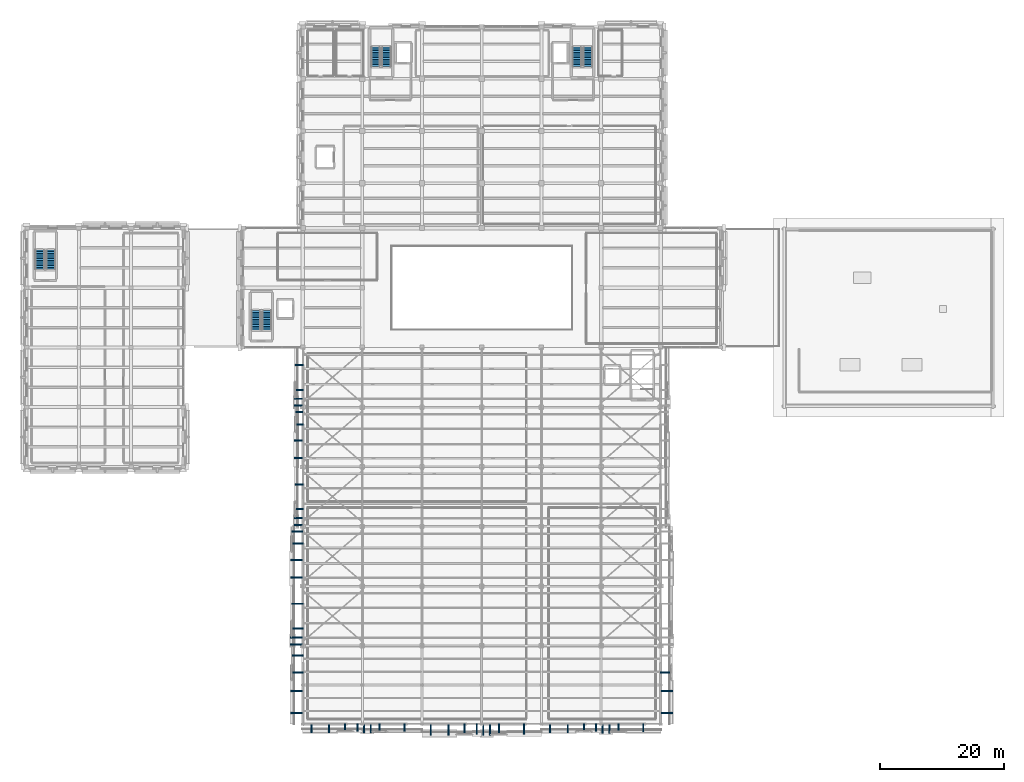
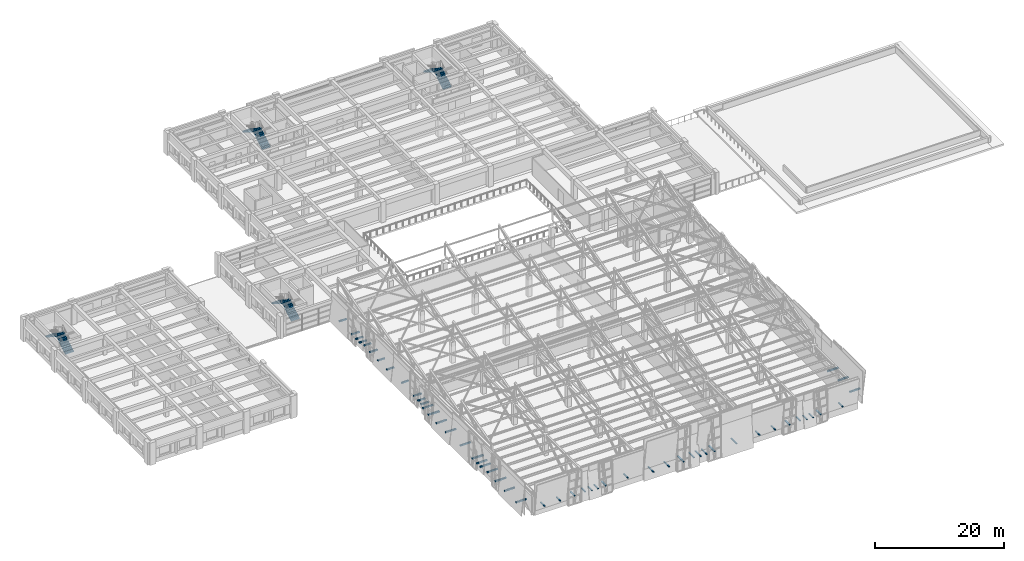
# One storey, part 62 of 71: 51 discrete accessories, 8 stair flights, 4 elements without a shape of their own.
"""IFC4 building model written with IfcOpenShell, lengths in metres."""

import ifcopenshell
import ifcopenshell.guid

model = None  # the IFC model being written
_history = None  # IfcOwnerHistory: only IFC2X3 demands one
_inside = {}  # id of a spatial element -> (the spatial element, [elements in it])
_under = {}  # id of a project, library or spatial element -> (it, [spatial elements below it])
_declared = {}  # id of a project -> (the project, [libraries it declares])
_typed = {}  # id of a type object -> (the type object, [elements of that type])
_made_of = {}  # id of a material, layer set ... -> (it, [elements and type objects made of it])


def new_model(schema):
    """Start an empty IFC model of exactly this schema.

    Asked for "IFC4X3", IfcOpenShell would pick the latest addendum, in which some entities
    have other attributes; the version numbers below select the first issue.
    IFC2X3 requires an IfcOwnerHistory on every rooted entity: one is made here for all.
    """
    global model, _history
    if schema == "IFC4X3":
        model = ifcopenshell.file(schema_version=(4, 3, 0, 0))
    else:
        model = ifcopenshell.file(schema=schema)
    _inside.clear()
    _under.clear()
    _declared.clear()
    _typed.clear()
    _made_of.clear()
    _history = None
    if model.schema == "IFC2X3":
        org = make("IfcOrganization", Name="unknown")
        user = make(
            "IfcPersonAndOrganization",
            ThePerson=make("IfcPerson", FamilyName="unknown"),
            TheOrganization=org,
        )
        app = make(
            "IfcApplication",
            ApplicationDeveloper=org,
            Version="unknown",
            ApplicationFullName="unknown",
            ApplicationIdentifier="unknown",
        )
        _history = make(
            "IfcOwnerHistory",
            OwningUser=user,
            OwningApplication=app,
            ChangeAction="ADDED",
            CreationDate=0,
        )
    return model


def make(cls, **values):
    """One entity of the class cls with the attributes given. An attribute that is None is left unset."""
    return model.create_entity(
        cls, **{name: value for name, value in values.items() if value is not None}
    )


def rooted(cls, **values):
    """An entity with a GlobalId (a new one), such as an element, a storey or a relation."""
    return make(cls, GlobalId=ifcopenshell.guid.new(), OwnerHistory=_history, **values)


def si_unit(unit_type, name, prefix=None):
    """IfcSIUnit, for example si_unit("LENGTHUNIT", "METRE", prefix="MILLI")."""
    return make("IfcSIUnit", UnitType=unit_type, Prefix=prefix, Name=name)


def assignment(units):
    """IfcUnitAssignment: the units of a project."""
    return None if units is None else make("IfcUnitAssignment", Units=units)


def point(xyz):
    """IfcCartesianPoint."""
    return None if xyz is None else make("IfcCartesianPoint", Coordinates=xyz)


def direction(xyz):
    """IfcDirection."""
    return None if xyz is None else make("IfcDirection", DirectionRatios=xyz)


def frame(location, z_axis=None, x_axis=None):
    """IfcAxis2Placement3D, a coordinate frame: its origin and axes. An axis left out is left unset."""
    return make(
        "IfcAxis2Placement3D",
        Location=point(location),
        Axis=direction(z_axis),
        RefDirection=direction(x_axis),
    )


def frame_2d(location, x_axis=None):
    """IfcAxis2Placement2D, a coordinate frame in the plane: its origin and x axis."""
    return make(
        "IfcAxis2Placement2D", Location=point(location), RefDirection=direction(x_axis)
    )


def origin():
    """The frame at (0, 0, 0) with its axes left unset."""
    return frame((0.0, 0.0, 0.0))


def origin_2d():
    """The frame at (0, 0) in the plane with its x axis left unset."""
    return frame_2d((0.0, 0.0))


def place(relative_to, where):
    """IfcLocalPlacement: puts the frame where relative to a parent placement (None: the world)."""
    return make(
        "IfcLocalPlacement", PlacementRelTo=relative_to, RelativePlacement=where
    )


def context(
    kind, dimensions, precision=None, world=None, true_north=None, identifier=None
):
    """IfcGeometricRepresentationContext, for example the 3D "Model" context."""
    return make(
        "IfcGeometricRepresentationContext",
        ContextIdentifier=identifier,
        ContextType=kind,
        CoordinateSpaceDimension=dimensions,
        Precision=precision,
        WorldCoordinateSystem=world,
        TrueNorth=true_north,
    )


def subcontext(parent, identifier, kind, view, scale=None):
    """IfcGeometricRepresentationSubContext, for example "Body" below "Model"."""
    return make(
        "IfcGeometricRepresentationSubContext",
        ContextIdentifier=identifier,
        ContextType=kind,
        ParentContext=parent,
        TargetScale=scale,
        TargetView=view,
    )


def project(units=None, contexts=None):
    """IfcProject with its units and contexts."""
    return rooted(
        "IfcProject",
        Name="project",
        RepresentationContexts=contexts,
        UnitsInContext=assignment(units),
    )


def spatial(cls, under=None, at=None, **own):
    """A site, building, storey or space (cls), placed at a placement, below another one or the project."""
    s = rooted(cls, ObjectPlacement=at, **own)
    if under is not None:
        _under.setdefault(under.id(), (under, []))[1].append(s)
    return s


def polyline(points):
    """IfcPolyline through the points."""
    return make("IfcPolyline", Points=[point(p) for p in points])


def profile(cls, at=None, kind="AREA", **sizes):
    """A parametric profile (cls). Its sizes go by their IFC names, for example OverallWidth=200.0."""
    return make(cls, ProfileType=kind, Position=at, **sizes)


def rectangle(**sizes):
    """IfcRectangleProfileDef."""
    return profile("IfcRectangleProfileDef", **sizes)


def outline(outer, holes=None, kind="AREA"):
    """IfcArbitraryClosedProfileDef: a profile drawn as a closed curve; with holes, ...WithVoids."""
    if holes is None:
        return make("IfcArbitraryClosedProfileDef", ProfileType=kind, OuterCurve=outer)
    return make(
        "IfcArbitraryProfileDefWithVoids",
        ProfileType=kind,
        OuterCurve=outer,
        InnerCurves=holes,
    )


def extrude(swept, where, along, depth):
    """IfcExtrudedAreaSolid: the profile swept, set in the frame where, extruded along a direction by depth."""
    return make(
        "IfcExtrudedAreaSolid",
        SweptArea=swept,
        Position=where,
        ExtrudedDirection=direction(along),
        Depth=depth,
    )


def shape(context_of_items, identifier, shape_type, items):
    """IfcShapeRepresentation: the items that make up one representation, for example the "Body"."""
    return make(
        "IfcShapeRepresentation",
        ContextOfItems=context_of_items,
        RepresentationIdentifier=identifier,
        RepresentationType=shape_type,
        Items=items,
    )


def material(Name=None, Category=None):
    """IfcMaterial."""
    return make("IfcMaterial", Name=Name, Category=Category)


def layer(
    of_material, thickness, ventilated=None, Name=None, Category=None, Priority=None
):
    """IfcMaterialLayer: one layer of a wall or slab, of a material (None: an air gap)."""
    return make(
        "IfcMaterialLayer",
        Material=of_material,
        LayerThickness=thickness,
        IsVentilated=ventilated,
        Name=Name,
        Category=Category,
        Priority=Priority,
    )


def layer_set(layers, Name=None):
    """IfcMaterialLayerSet."""
    return make("IfcMaterialLayerSet", MaterialLayers=layers, LayerSetName=Name)


def made_of(thing, what):
    """Note that an element or type object is made of a material, layer set ...; save() writes the relation."""
    if what is not None:
        _made_of.setdefault(what.id(), (what, []))[1].append(thing)
    return thing


def type_object(cls, material=None, **own):
    """A type object (cls), such as IfcWallType, which elements share."""
    return made_of(rooted(cls, **own), material)


def element(
    cls,
    number,
    at=None,
    inside=None,
    cuts=None,
    type_object=None,
    material=None,
    context=None,
    identifier="Body",
    shape_type=None,
    held_by="IfcProductDefinitionShape",
    body=None,
    shapes=None,
    **own,
):
    """One element of the class cls, such as IfcWall. Its Tag is "e" and its number.

    at: its placement. inside: the storey or other place that contains it. cuts: it is an
    opening in that element (IfcRelVoidsElement). A single representation is given by context,
    identifier, shape_type and body (its items); several are given by shapes. held_by: the class
    of the entity that holds the representations. save() writes the other relations.
    """
    e = rooted(cls, Tag="e%d" % number, ObjectPlacement=at, **own)
    if body is not None:
        shapes = [shape(context, identifier, shape_type, body)]
    if shapes is not None:
        e.Representation = make(held_by, Representations=shapes)
    if inside is not None:
        _inside.setdefault(inside.id(), (inside, []))[1].append(e)
    if cuts is not None:
        rooted(
            "IfcRelVoidsElement", RelatingBuildingElement=cuts, RelatedOpeningElement=e
        )
    if type_object is not None:
        _typed.setdefault(type_object.id(), (type_object, []))[1].append(e)
    return made_of(e, material)


def aggregate(whole, parts):
    """IfcRelAggregates: a whole, such as a stair, and the parts it consists of."""
    return rooted("IfcRelAggregates", RelatingObject=whole, RelatedObjects=parts)


def save(model, path):
    """Write the relations noted so far, then the file.

    IfcRelAggregates (storeys below a building ...), IfcRelContainedInSpatialStructure (elements
    in a storey), IfcRelDefinesByType, IfcRelAssociatesMaterial and IfcRelDeclares: one each for
    every whole, place, type object, material and project.
    """
    for whole, parts in _under.values():
        aggregate(whole, parts)
    for where, things in _inside.values():
        rooted(
            "IfcRelContainedInSpatialStructure",
            RelatedElements=things,
            RelatingStructure=where,
        )
    for kind, things in _typed.values():
        rooted("IfcRelDefinesByType", RelatedObjects=things, RelatingType=kind)
    for what, things in _made_of.values():
        rooted("IfcRelAssociatesMaterial", RelatedObjects=things, RelatingMaterial=what)
    for by, libraries in _declared.values():
        rooted("IfcRelDeclares", RelatingContext=by, RelatedDefinitions=libraries)
    model.write(path)


model = new_model("IFC4")

# Units and contexts
model_context = context("Model", 3, precision=1e-05, world=origin(), true_north=direction((0.0, 1.0)))
body_context = subcontext(model_context, "Body", "Model", "MODEL_VIEW")
ifc_project = project(units=[si_unit("LENGTHUNIT", "METRE"), si_unit("AREAUNIT", "SQUARE_METRE"), si_unit("VOLUMEUNIT", "CUBIC_METRE"), si_unit("PLANEANGLEUNIT", "RADIAN"), si_unit("MASSUNIT", "GRAM", prefix="KILO")], contexts=[model_context])

# Site, building, storey
site_placement = place(None, origin())
site = spatial("IfcSite", under=ifc_project, at=site_placement, CompositionType="ELEMENT")
building_placement = place(site_placement, origin())
building = spatial("IfcBuilding", under=site, at=building_placement, Name="Bempovik Park Faculty of Sciences", CompositionType="ELEMENT")
storey_placement = place(building_placement, frame((0.0, 0.0, 14.10009765625)))
storey = spatial("IfcBuildingStorey", under=building, at=storey_placement, Name="L03", CompositionType="ELEMENT", Elevation=14.10009765625)

# Stair, stair flights
ifc_material_1 = material(Name="Concrete C35/45", Category="concrete")
stair_type = type_object("IfcStairType", Name="ST-16 Stair W1500 H4200", PredefinedType="HALF_TURN_STAIR", material=ifc_material_1)
stair_1_placement = place(storey_placement, origin())
stair_1 = element("IfcStair", 1, at=stair_1_placement, inside=storey, type_object=stair_type, Name="L03 ST-1 Dog-Leg Exit Stair", PredefinedType="HALF_TURN_STAIR")
stair_flight_type = type_object("IfcStairFlightType", Name="FL-13 Flight W1500 H4200", PredefinedType="STRAIGHT", material=ifc_material_1)
stair_flight_1_placement = place(storey_placement, frame((73.5, 113.0, 0.0), z_axis=(0.0, 0.0, 1.0), x_axis=(0.0, 1.0, 0.0)))
stair_flight_1 = element("IfcStairFlight", 2, at=stair_flight_1_placement, type_object=stair_flight_type, Name="ST-16 flight 1", NumberOfRisers=12, NumberOfTreads=11, PredefinedType="STRAIGHT", RiserHeight=0.175, TreadLength=0.28125, context=body_context, shape_type="SweptSolid", body=[
    extrude(outline(polyline([(0.0, 0.0), (0.0, 0.175048828125), (0.28125, 0.175048828125), (0.28125, 0.35009765625), (0.5625, 0.35009765625), (0.5625, 0.52490234375), (0.84375, 0.52490234375), (0.84375, 0.699951171875), (1.125, 0.699951171875), (1.125, 0.875), (1.40625, 0.875), (1.40625, 1.050048828125), (1.6875, 1.050048828125), (1.6875, 1.22509765625), (1.96875, 1.22509765625), (1.96875, 1.39990234375), (2.25, 1.39990234375), (2.25, 1.574951171875), (2.53125, 1.574951171875), (2.53125, 1.75), (2.8125, 1.75), (2.8125, 1.925048828125), (3.09375, 1.925048828125), (3.09375, 2.10009765625), (3.09375, 1.74853515625), (0.28369140625, 0.0), (0.0625, -0.0625), (0.0, -0.0625), (0.0, 0.0)])), frame((0.0, 0.75, 0.0), z_axis=(0.0, -1.0, 0.0), x_axis=(1.0, 0.0, 0.0)), (0.0, 0.0, 1.0), 1.5),
])
stair_flight_2_placement = place(storey_placement, frame((71.75, 116.09375, 2.099853515625), z_axis=(0.0, 0.0, 1.0), x_axis=(0.0, -1.0, 0.0)))
stair_flight_2 = element("IfcStairFlight", 3, at=stair_flight_2_placement, type_object=stair_flight_type, Name="ST-16 flight 2", NumberOfRisers=12, NumberOfTreads=11, PredefinedType="STRAIGHT", RiserHeight=0.175, TreadLength=0.28125, context=body_context, shape_type="SweptSolid", body=[
    extrude(outline(polyline([(0.0, 0.0), (0.0, 0.175048828125), (0.28125, 0.175048828125), (0.28125, 0.35009765625), (0.5625, 0.35009765625), (0.5625, 0.52490234375), (0.84375, 0.52490234375), (0.84375, 0.699951171875), (1.125, 0.699951171875), (1.125, 0.875), (1.40625, 0.875), (1.40625, 1.050048828125), (1.6875, 1.050048828125), (1.6875, 1.22509765625), (1.96875, 1.22509765625), (1.96875, 1.39990234375), (2.25, 1.39990234375), (2.25, 1.574951171875), (2.53125, 1.574951171875), (2.53125, 1.75), (2.8125, 1.75), (2.8125, 1.925048828125), (3.09375, 1.925048828125), (3.09375, 2.10009765625), (3.09375, 1.74853515625), (0.28369140625, 0.0), (0.0625, -0.0625), (0.0, -0.0625), (0.0, 0.0)])), frame((0.0, 0.75, 0.0), z_axis=(0.0, -1.0, 0.0), x_axis=(1.0, 0.0, 0.0)), (0.0, 0.0, 1.0), 1.5),
])
aggregate(stair_1, [stair_flight_1, stair_flight_2])

stair_2_placement = place(storey_placement, origin())
stair_2 = element("IfcStair", 4, at=stair_2_placement, inside=storey, type_object=stair_type, Name="L03 ST-2 Dog-Leg Exit Stair", PredefinedType="HALF_TURN_STAIR")
stair_flight_3_placement = place(storey_placement, frame((105.875, 113.0, 0.0), z_axis=(0.0, 0.0, 1.0), x_axis=(0.0, 1.0, 0.0)))
stair_flight_3 = element("IfcStairFlight", 5, at=stair_flight_3_placement, type_object=stair_flight_type, Name="ST-16 flight 1", NumberOfRisers=12, NumberOfTreads=11, PredefinedType="STRAIGHT", RiserHeight=0.175, TreadLength=0.28125, context=body_context, shape_type="SweptSolid", body=[
    extrude(outline(polyline([(0.0, 0.0), (0.0, 0.175048828125), (0.28125, 0.175048828125), (0.28125, 0.35009765625), (0.5625, 0.35009765625), (0.5625, 0.52490234375), (0.84375, 0.52490234375), (0.84375, 0.699951171875), (1.125, 0.699951171875), (1.125, 0.875), (1.40625, 0.875), (1.40625, 1.050048828125), (1.6875, 1.050048828125), (1.6875, 1.22509765625), (1.96875, 1.22509765625), (1.96875, 1.39990234375), (2.25, 1.39990234375), (2.25, 1.574951171875), (2.53125, 1.574951171875), (2.53125, 1.75), (2.8125, 1.75), (2.8125, 1.925048828125), (3.09375, 1.925048828125), (3.09375, 2.10009765625), (3.09375, 1.74853515625), (0.28369140625, 0.0), (0.0625, -0.0625), (0.0, -0.0625), (0.0, 0.0)])), frame((0.0, 0.75, 0.0), z_axis=(0.0, -1.0, 0.0), x_axis=(1.0, 0.0, 0.0)), (0.0, 0.0, 1.0), 1.5),
])
stair_flight_4_placement = place(storey_placement, frame((104.125, 116.09375, 2.099853515625), z_axis=(0.0, 0.0, 1.0), x_axis=(0.0, -1.0, 0.0)))
stair_flight_4 = element("IfcStairFlight", 6, at=stair_flight_4_placement, type_object=stair_flight_type, Name="ST-16 flight 2", NumberOfRisers=12, NumberOfTreads=11, PredefinedType="STRAIGHT", RiserHeight=0.175, TreadLength=0.28125, context=body_context, shape_type="SweptSolid", body=[
    extrude(outline(polyline([(0.0, 0.0), (0.0, 0.175048828125), (0.28125, 0.175048828125), (0.28125, 0.35009765625), (0.5625, 0.35009765625), (0.5625, 0.52490234375), (0.84375, 0.52490234375), (0.84375, 0.699951171875), (1.125, 0.699951171875), (1.125, 0.875), (1.40625, 0.875), (1.40625, 1.050048828125), (1.6875, 1.050048828125), (1.6875, 1.22509765625), (1.96875, 1.22509765625), (1.96875, 1.39990234375), (2.25, 1.39990234375), (2.25, 1.574951171875), (2.53125, 1.574951171875), (2.53125, 1.75), (2.8125, 1.75), (2.8125, 1.925048828125), (3.09375, 1.925048828125), (3.09375, 2.10009765625), (3.09375, 1.74853515625), (0.28369140625, 0.0), (0.0625, -0.0625), (0.0, -0.0625), (0.0, 0.0)])), frame((0.0, 0.75, 0.0), z_axis=(0.0, -1.0, 0.0), x_axis=(1.0, 0.0, 0.0)), (0.0, 0.0, 1.0), 1.5),
])
aggregate(stair_2, [stair_flight_3, stair_flight_4])

stair_3_placement = place(storey_placement, origin())
stair_3 = element("IfcStair", 7, at=stair_3_placement, inside=storey, type_object=stair_type, Name="L03 ST-3 Dog-Leg Exit Stair", PredefinedType="HALF_TURN_STAIR")
stair_flight_5_placement = place(storey_placement, frame((19.5, 80.375, 0.0), z_axis=(0.0, 0.0, 1.0), x_axis=(0.0, 1.0, 0.0)))
stair_flight_5 = element("IfcStairFlight", 8, at=stair_flight_5_placement, type_object=stair_flight_type, Name="ST-16 flight 1", NumberOfRisers=12, NumberOfTreads=11, PredefinedType="STRAIGHT", RiserHeight=0.175, TreadLength=0.28125, context=body_context, shape_type="SweptSolid", body=[
    extrude(outline(polyline([(0.0, 0.0), (0.0, 0.175048828125), (0.28125, 0.175048828125), (0.28125, 0.35009765625), (0.5625, 0.35009765625), (0.5625, 0.52490234375), (0.84375, 0.52490234375), (0.84375, 0.699951171875), (1.125, 0.699951171875), (1.125, 0.875), (1.40625, 0.875), (1.40625, 1.050048828125), (1.6875, 1.050048828125), (1.6875, 1.22509765625), (1.96875, 1.22509765625), (1.96875, 1.39990234375), (2.25, 1.39990234375), (2.25, 1.574951171875), (2.53125, 1.574951171875), (2.53125, 1.75), (2.8125, 1.75), (2.8125, 1.925048828125), (3.09375, 1.925048828125), (3.09375, 2.10009765625), (3.09375, 1.74853515625), (0.28369140625, 0.0), (0.0625, -0.0625), (0.0, -0.0625), (0.0, 0.0)])), frame((0.0, 0.75, 0.0), z_axis=(0.0, -1.0, 0.0), x_axis=(1.0, 0.0, 0.0)), (0.0, 0.0, 1.0), 1.5),
])
stair_flight_6_placement = place(storey_placement, frame((17.75, 83.46875, 2.099853515625), z_axis=(0.0, 0.0, 1.0), x_axis=(0.0, -1.0, 0.0)))
stair_flight_6 = element("IfcStairFlight", 9, at=stair_flight_6_placement, type_object=stair_flight_type, Name="ST-16 flight 2", NumberOfRisers=12, NumberOfTreads=11, PredefinedType="STRAIGHT", RiserHeight=0.175, TreadLength=0.28125, context=body_context, shape_type="SweptSolid", body=[
    extrude(outline(polyline([(0.0, 0.0), (0.0, 0.175048828125), (0.28125, 0.175048828125), (0.28125, 0.35009765625), (0.5625, 0.35009765625), (0.5625, 0.52490234375), (0.84375, 0.52490234375), (0.84375, 0.699951171875), (1.125, 0.699951171875), (1.125, 0.875), (1.40625, 0.875), (1.40625, 1.050048828125), (1.6875, 1.050048828125), (1.6875, 1.22509765625), (1.96875, 1.22509765625), (1.96875, 1.39990234375), (2.25, 1.39990234375), (2.25, 1.574951171875), (2.53125, 1.574951171875), (2.53125, 1.75), (2.8125, 1.75), (2.8125, 1.925048828125), (3.09375, 1.925048828125), (3.09375, 2.10009765625), (3.09375, 1.74853515625), (0.28369140625, 0.0), (0.0625, -0.0625), (0.0, -0.0625), (0.0, 0.0)])), frame((0.0, 0.75, 0.0), z_axis=(0.0, -1.0, 0.0), x_axis=(1.0, 0.0, 0.0)), (0.0, 0.0, 1.0), 1.5),
])
aggregate(stair_3, [stair_flight_5, stair_flight_6])

stair_4_placement = place(storey_placement, origin())
stair_4 = element("IfcStair", 10, at=stair_4_placement, inside=storey, type_object=stair_type, Name="L03 ST-4 Dog-Leg Exit Stair", PredefinedType="HALF_TURN_STAIR")
stair_flight_7_placement = place(storey_placement, frame((54.25, 70.625, 0.0), z_axis=(0.0, 0.0, 1.0), x_axis=(0.0, 1.0, 0.0)))
stair_flight_7 = element("IfcStairFlight", 11, at=stair_flight_7_placement, type_object=stair_flight_type, Name="ST-16 flight 1", NumberOfRisers=12, NumberOfTreads=11, PredefinedType="STRAIGHT", RiserHeight=0.175, TreadLength=0.28125, context=body_context, shape_type="SweptSolid", body=[
    extrude(outline(polyline([(0.0, 0.0), (0.0, 0.175048828125), (0.28125, 0.175048828125), (0.28125, 0.35009765625), (0.5625, 0.35009765625), (0.5625, 0.52490234375), (0.84375, 0.52490234375), (0.84375, 0.699951171875), (1.125, 0.699951171875), (1.125, 0.875), (1.40625, 0.875), (1.40625, 1.050048828125), (1.6875, 1.050048828125), (1.6875, 1.22509765625), (1.96875, 1.22509765625), (1.96875, 1.39990234375), (2.25, 1.39990234375), (2.25, 1.574951171875), (2.53125, 1.574951171875), (2.53125, 1.75), (2.8125, 1.75), (2.8125, 1.925048828125), (3.09375, 1.925048828125), (3.09375, 2.10009765625), (3.09375, 1.74853515625), (0.28369140625, 0.0), (0.0625, -0.0625), (0.0, -0.0625), (0.0, 0.0)])), frame((0.0, 0.75, 0.0), z_axis=(0.0, -1.0, 0.0), x_axis=(1.0, 0.0, 0.0)), (0.0, 0.0, 1.0), 1.5),
])
stair_flight_8_placement = place(storey_placement, frame((52.5, 73.71875, 2.099853515625), z_axis=(0.0, 0.0, 1.0), x_axis=(0.0, -1.0, 0.0)))
stair_flight_8 = element("IfcStairFlight", 12, at=stair_flight_8_placement, type_object=stair_flight_type, Name="ST-16 flight 2", NumberOfRisers=12, NumberOfTreads=11, PredefinedType="STRAIGHT", RiserHeight=0.175, TreadLength=0.28125, context=body_context, shape_type="SweptSolid", body=[
    extrude(outline(polyline([(0.0, 0.0), (0.0, 0.175048828125), (0.28125, 0.175048828125), (0.28125, 0.35009765625), (0.5625, 0.35009765625), (0.5625, 0.52490234375), (0.84375, 0.52490234375), (0.84375, 0.699951171875), (1.125, 0.699951171875), (1.125, 0.875), (1.40625, 0.875), (1.40625, 1.050048828125), (1.6875, 1.050048828125), (1.6875, 1.22509765625), (1.96875, 1.22509765625), (1.96875, 1.39990234375), (2.25, 1.39990234375), (2.25, 1.574951171875), (2.53125, 1.574951171875), (2.53125, 1.75), (2.8125, 1.75), (2.8125, 1.925048828125), (3.09375, 1.925048828125), (3.09375, 2.10009765625), (3.09375, 1.74853515625), (0.28369140625, 0.0), (0.0625, -0.0625), (0.0, -0.0625), (0.0, 0.0)])), frame((0.0, 0.75, 0.0), z_axis=(0.0, -1.0, 0.0), x_axis=(1.0, 0.0, 0.0)), (0.0, 0.0, 1.0), 1.5),
])
aggregate(stair_4, [stair_flight_7, stair_flight_8])

# Discrete accessories
ifc_material_2 = material(Name="Steel S355", Category="steel")
ifc_layer = layer(ifc_material_2, 0.14990234375)
ifc_layer_set = layer_set([ifc_layer], Name="Steel S355")
discrete_accessory_type = type_object("IfcDiscreteAccessoryType", Name="BK-01 Facade Support Bracket", PredefinedType="BRACKET", material=ifc_layer_set)
for number, where, z_axis, x_axis, name in (
    (13, (118.610107421875, 8.986328125, 1.44970703125), (0.0, 0.0, 1.0), (1.0, 0.0, 0.0), "Crystal Cladding Support Bracket FAC-CRYS-L03-1176-72-BK1"),
    (14, (118.610107421875, 12.55859375, 1.44970703125), (0.0, 0.0, 1.0), (1.0, 0.0, 0.0), "Crystal Cladding Support Bracket FAC-CRYS-L03-1176-72-BK2"),
):
    element("IfcDiscreteAccessory", number, at=place(storey_placement, frame(where, z_axis=z_axis, x_axis=x_axis)), inside=storey, type_object=discrete_accessory_type, Name=name, PredefinedType="BRACKET", context=body_context, shape_type="SweptSolid", body=[
        extrude(rectangle(XDim=1.820556640625, YDim=0.219970703125, at=origin_2d()), origin(), (0.0, 0.0, 1.0), 0.179931640625),
    ])
discrete_accessory_1_placement = place(storey_placement, frame((118.480224609375, 15.52490234375, 1.44970703125), z_axis=(0.0, 0.0, 1.0), x_axis=(1.0, 0.0, 0.0)))
element("IfcDiscreteAccessory", 15, at=discrete_accessory_1_placement, inside=storey, type_object=discrete_accessory_type, Name="Crystal Fold Tie Bracket FAC-CRYS-L03-1176-72-BKF", PredefinedType="BRACKET", context=body_context, shape_type="SweptSolid", body=[
    extrude(rectangle(XDim=1.92041015625, YDim=0.239990234375, at=origin_2d()), origin(), (0.0, 0.0, 1.0), 0.179931640625),
])
discrete_accessory_2_placement = place(storey_placement, frame((68.802490234375, 6.6796875, 1.44970703125), z_axis=(0.0, 0.0, 1.0), x_axis=(1.0, 0.0, 0.0)))
element("IfcDiscreteAccessory", 16, at=discrete_accessory_2_placement, inside=storey, type_object=discrete_accessory_type, Name="Crystal Cladding Support Bracket FAC-CRYS-L03-72-600-BKR", PredefinedType="BRACKET", context=body_context, shape_type="SweptSolid", body=[
    extrude(rectangle(XDim=0.219970703125, YDim=1.220458984375, at=origin_2d()), origin(), (0.0, 0.0, 1.0), 0.179931640625),
])
for number, where, z_axis, x_axis, name in (
    (17, (61.4111328125, 6.479736328125, 1.44970703125), (0.0, 0.0, 1.0), (1.0, 0.0, 0.0), "Crystal Cladding Support Bracket FAC-CRYS-L03-72-600-BK1"),
    (18, (64.23388671875, 6.479736328125, 1.44970703125), (0.0, 0.0, 1.0), (1.0, 0.0, 0.0), "Crystal Cladding Support Bracket FAC-CRYS-L03-72-600-BK2"),
):
    element("IfcDiscreteAccessory", number, at=place(storey_placement, frame(where, z_axis=z_axis, x_axis=x_axis)), inside=storey, type_object=discrete_accessory_type, Name=name, PredefinedType="BRACKET", context=body_context, shape_type="SweptSolid", body=[
        extrude(rectangle(XDim=0.219970703125, YDim=1.240478515625, at=origin_2d()), origin(), (0.0, 0.0, 1.0), 0.179931640625),
    ])
discrete_accessory_3_placement = place(storey_placement, frame((66.824951171875, 6.60986328125, 1.44970703125), z_axis=(0.0, 0.0, 1.0), x_axis=(1.0, 0.0, 0.0)))
element("IfcDiscreteAccessory", 19, at=discrete_accessory_3_placement, inside=storey, type_object=discrete_accessory_type, Name="Crystal Fold Tie Bracket FAC-CRYS-L03-72-600-BKF", PredefinedType="BRACKET", context=body_context, shape_type="SweptSolid", body=[
    extrude(rectangle(XDim=0.239990234375, YDim=1.340576171875, at=origin_2d()), origin(), (0.0, 0.0, 1.0), 0.179931640625),
])
discrete_accessory_4_placement = place(storey_placement, frame((76.37744140625, 6.65869140625, 1.44970703125), z_axis=(0.0, 0.0, 1.0), x_axis=(1.0, 0.0, 0.0)))
element("IfcDiscreteAccessory", 20, at=discrete_accessory_4_placement, inside=storey, type_object=discrete_accessory_type, Name="Crystal Cladding Support Bracket FAC-CRYS-L03-72-696-BKR", PredefinedType="BRACKET", context=body_context, shape_type="SweptSolid", body=[
    extrude(rectangle(XDim=0.219970703125, YDim=1.2626953125, at=origin_2d()), origin(), (0.0, 0.0, 1.0), 0.179931640625),
])
for number, where, z_axis, x_axis, name in (
    (21, (69.847412109375, 6.458740234375, 1.44970703125), (0.0, 0.0, 1.0), (1.0, 0.0, 0.0), "Crystal Cladding Support Bracket FAC-CRYS-L03-72-696-BK1"),
    (22, (70.947509765625, 6.458740234375, 1.44970703125), (0.0, 0.0, 1.0), (1.0, 0.0, 0.0), "Crystal Cladding Support Bracket FAC-CRYS-L03-72-696-BK2"),
):
    element("IfcDiscreteAccessory", number, at=place(storey_placement, frame(where, z_axis=z_axis, x_axis=x_axis)), inside=storey, type_object=discrete_accessory_type, Name=name, PredefinedType="BRACKET", context=body_context, shape_type="SweptSolid", body=[
        extrude(rectangle(XDim=0.219970703125, YDim=1.28271484375, at=origin_2d()), origin(), (0.0, 0.0, 1.0), 0.179931640625),
    ])
discrete_accessory_5_placement = place(storey_placement, frame((72.375, 6.588623046875, 1.44970703125), z_axis=(0.0, 0.0, 1.0), x_axis=(1.0, 0.0, 0.0)))
element("IfcDiscreteAccessory", 23, at=discrete_accessory_5_placement, inside=storey, type_object=discrete_accessory_type, Name="Crystal Fold Tie Bracket FAC-CRYS-L03-72-696-BKF", PredefinedType="BRACKET", context=body_context, shape_type="SweptSolid", body=[
    extrude(rectangle(XDim=0.239990234375, YDim=1.3828125, at=origin_2d()), origin(), (0.0, 0.0, 1.0), 0.179931640625),
])
discrete_accessory_6_placement = place(storey_placement, frame((88.00244140625, 6.4462890625, 1.44970703125), z_axis=(0.0, 0.0, 1.0), x_axis=(1.0, 0.0, 0.0)))
element("IfcDiscreteAccessory", 24, at=discrete_accessory_6_placement, inside=storey, type_object=discrete_accessory_type, Name="Crystal Cladding Support Bracket FAC-CRYS-L03-72-792-BKR", PredefinedType="BRACKET", context=body_context, shape_type="SweptSolid", body=[
    extrude(rectangle(XDim=0.219970703125, YDim=1.687255859375, at=origin_2d()), origin(), (0.0, 0.0, 1.0), 0.179931640625),
])
for number, where, z_axis, x_axis, name in (
    (25, (80.611083984375, 6.246337890625, 1.44970703125), (0.0, 0.0, 1.0), (1.0, 0.0, 0.0), "Crystal Cladding Support Bracket FAC-CRYS-L03-72-792-BK1"),
    (26, (83.43359375, 6.246337890625, 1.44970703125), (0.0, 0.0, 1.0), (1.0, 0.0, 0.0), "Crystal Cladding Support Bracket FAC-CRYS-L03-72-792-BK2"),
):
    element("IfcDiscreteAccessory", number, at=place(storey_placement, frame(where, z_axis=z_axis, x_axis=x_axis)), inside=storey, type_object=discrete_accessory_type, Name=name, PredefinedType="BRACKET", context=body_context, shape_type="SweptSolid", body=[
        extrude(rectangle(XDim=0.219970703125, YDim=1.707275390625, at=origin_2d()), origin(), (0.0, 0.0, 1.0), 0.179931640625),
    ])
discrete_accessory_7_placement = place(storey_placement, frame((86.02490234375, 6.376220703125, 1.44970703125), z_axis=(0.0, 0.0, 1.0), x_axis=(1.0, 0.0, 0.0)))
element("IfcDiscreteAccessory", 27, at=discrete_accessory_7_placement, inside=storey, type_object=discrete_accessory_type, Name="Crystal Fold Tie Bracket FAC-CRYS-L03-72-792-BKF", PredefinedType="BRACKET", context=body_context, shape_type="SweptSolid", body=[
    extrude(rectangle(XDim=0.239990234375, YDim=1.807373046875, at=origin_2d()), origin(), (0.0, 0.0, 1.0), 0.179931640625),
])
discrete_accessory_8_placement = place(storey_placement, frame((95.577392578125, 6.4462890625, 1.44970703125), z_axis=(0.0, 0.0, 1.0), x_axis=(1.0, 0.0, 0.0)))
element("IfcDiscreteAccessory", 28, at=discrete_accessory_8_placement, inside=storey, type_object=discrete_accessory_type, Name="Crystal Cladding Support Bracket FAC-CRYS-L03-72-888-BKR", PredefinedType="BRACKET", context=body_context, shape_type="SweptSolid", body=[
    extrude(rectangle(XDim=0.219970703125, YDim=1.687255859375, at=origin_2d()), origin(), (0.0, 0.0, 1.0), 0.179931640625),
])
for number, where, z_axis, x_axis, name in (
    (29, (89.047607421875, 6.246337890625, 1.44970703125), (0.0, 0.0, 1.0), (1.0, 0.0, 0.0), "Crystal Cladding Support Bracket FAC-CRYS-L03-72-888-BK1"),
    (30, (90.1474609375, 6.246337890625, 1.44970703125), (0.0, 0.0, 1.0), (1.0, 0.0, 0.0), "Crystal Cladding Support Bracket FAC-CRYS-L03-72-888-BK2"),
):
    element("IfcDiscreteAccessory", number, at=place(storey_placement, frame(where, z_axis=z_axis, x_axis=x_axis)), inside=storey, type_object=discrete_accessory_type, Name=name, PredefinedType="BRACKET", context=body_context, shape_type="SweptSolid", body=[
        extrude(rectangle(XDim=0.219970703125, YDim=1.707275390625, at=origin_2d()), origin(), (0.0, 0.0, 1.0), 0.179931640625),
    ])
discrete_accessory_9_placement = place(storey_placement, frame((91.574951171875, 6.376220703125, 1.44970703125), z_axis=(0.0, 0.0, 1.0), x_axis=(1.0, 0.0, 0.0)))
element("IfcDiscreteAccessory", 31, at=discrete_accessory_9_placement, inside=storey, type_object=discrete_accessory_type, Name="Crystal Fold Tie Bracket FAC-CRYS-L03-72-888-BKF", PredefinedType="BRACKET", context=body_context, shape_type="SweptSolid", body=[
    extrude(rectangle(XDim=0.239990234375, YDim=1.807373046875, at=origin_2d()), origin(), (0.0, 0.0, 1.0), 0.179931640625),
])
discrete_accessory_10_placement = place(storey_placement, frame((107.202392578125, 6.663818359375, 1.44970703125), z_axis=(0.0, 0.0, 1.0), x_axis=(1.0, 0.0, 0.0)))
element("IfcDiscreteAccessory", 32, at=discrete_accessory_10_placement, inside=storey, type_object=discrete_accessory_type, Name="Crystal Cladding Support Bracket FAC-CRYS-L03-72-984-BKR", PredefinedType="BRACKET", context=body_context, shape_type="SweptSolid", body=[
    extrude(rectangle(XDim=0.219970703125, YDim=1.252197265625, at=origin_2d()), origin(), (0.0, 0.0, 1.0), 0.179931640625),
])
for number, where, z_axis, x_axis, name in (
    (33, (99.811279296875, 6.4638671875, 1.44970703125), (0.0, 0.0, 1.0), (1.0, 0.0, 0.0), "Crystal Cladding Support Bracket FAC-CRYS-L03-72-984-BK1"),
    (34, (102.6337890625, 6.4638671875, 1.44970703125), (0.0, 0.0, 1.0), (1.0, 0.0, 0.0), "Crystal Cladding Support Bracket FAC-CRYS-L03-72-984-BK2"),
):
    element("IfcDiscreteAccessory", number, at=place(storey_placement, frame(where, z_axis=z_axis, x_axis=x_axis)), inside=storey, type_object=discrete_accessory_type, Name=name, PredefinedType="BRACKET", context=body_context, shape_type="SweptSolid", body=[
        extrude(rectangle(XDim=0.219970703125, YDim=1.272216796875, at=origin_2d()), origin(), (0.0, 0.0, 1.0), 0.179931640625),
    ])
discrete_accessory_11_placement = place(storey_placement, frame((105.22509765625, 6.593994140625, 1.44970703125), z_axis=(0.0, 0.0, 1.0), x_axis=(1.0, 0.0, 0.0)))
element("IfcDiscreteAccessory", 35, at=discrete_accessory_11_placement, inside=storey, type_object=discrete_accessory_type, Name="Crystal Fold Tie Bracket FAC-CRYS-L03-72-984-BKF", PredefinedType="BRACKET", context=body_context, shape_type="SweptSolid", body=[
    extrude(rectangle(XDim=0.239990234375, YDim=1.372314453125, at=origin_2d()), origin(), (0.0, 0.0, 1.0), 0.179931640625),
])
discrete_accessory_12_placement = place(storey_placement, frame((114.777587890625, 6.6376953125, 1.44970703125), z_axis=(0.0, 0.0, 1.0), x_axis=(1.0, 0.0, 0.0)))
element("IfcDiscreteAccessory", 36, at=discrete_accessory_12_placement, inside=storey, type_object=discrete_accessory_type, Name="Crystal Cladding Support Bracket FAC-CRYS-L03-72-1080-BKR", PredefinedType="BRACKET", context=body_context, shape_type="SweptSolid", body=[
    extrude(rectangle(XDim=0.219970703125, YDim=1.3046875, at=origin_2d()), origin(), (0.0, 0.0, 1.0), 0.179931640625),
])
for number, where, z_axis, x_axis, name in (
    (37, (108.24755859375, 6.4375, 1.44970703125), (0.0, 0.0, 1.0), (1.0, 0.0, 0.0), "Crystal Cladding Support Bracket FAC-CRYS-L03-72-1080-BK1"),
    (38, (109.347412109375, 6.4375, 1.44970703125), (0.0, 0.0, 1.0), (1.0, 0.0, 0.0), "Crystal Cladding Support Bracket FAC-CRYS-L03-72-1080-BK2"),
):
    element("IfcDiscreteAccessory", number, at=place(storey_placement, frame(where, z_axis=z_axis, x_axis=x_axis)), inside=storey, type_object=discrete_accessory_type, Name=name, PredefinedType="BRACKET", context=body_context, shape_type="SweptSolid", body=[
        extrude(rectangle(XDim=0.219970703125, YDim=1.32470703125, at=origin_2d()), origin(), (0.0, 0.0, 1.0), 0.179931640625),
    ])
discrete_accessory_13_placement = place(storey_placement, frame((110.77490234375, 6.567626953125, 1.44970703125), z_axis=(0.0, 0.0, 1.0), x_axis=(1.0, 0.0, 0.0)))
element("IfcDiscreteAccessory", 39, at=discrete_accessory_13_placement, inside=storey, type_object=discrete_accessory_type, Name="Crystal Fold Tie Bracket FAC-CRYS-L03-72-1080-BKF", PredefinedType="BRACKET", context=body_context, shape_type="SweptSolid", body=[
    extrude(rectangle(XDim=0.239990234375, YDim=1.4248046875, at=origin_2d()), origin(), (0.0, 0.0, 1.0), 0.179931640625),
])
discrete_accessory_14_placement = place(storey_placement, frame((59.189697265625, 18.25244140625, 1.44970703125), z_axis=(0.0, 0.0, 1.0), x_axis=(1.0, 0.0, 0.0)))
element("IfcDiscreteAccessory", 40, at=discrete_accessory_14_placement, inside=storey, type_object=discrete_accessory_type, Name="Crystal Cladding Support Bracket FAC-CRYS-L03-600-72-BKR", PredefinedType="BRACKET", context=body_context, shape_type="SweptSolid", body=[
    extrude(rectangle(XDim=1.800537109375, YDim=0.219970703125, at=origin_2d()), origin(), (0.0, 0.0, 1.0), 0.179931640625),
])
for number, where, z_axis, x_axis, name in (
    (41, (58.98974609375, 8.986328125, 1.44970703125), (0.0, 0.0, 1.0), (1.0, 0.0, 0.0), "Crystal Cladding Support Bracket FAC-CRYS-L03-600-72-BK1"),
    (42, (58.98974609375, 12.55859375, 1.44970703125), (0.0, 0.0, 1.0), (1.0, 0.0, 0.0), "Crystal Cladding Support Bracket FAC-CRYS-L03-600-72-BK2"),
):
    element("IfcDiscreteAccessory", number, at=place(storey_placement, frame(where, z_axis=z_axis, x_axis=x_axis)), inside=storey, type_object=discrete_accessory_type, Name=name, PredefinedType="BRACKET", context=body_context, shape_type="SweptSolid", body=[
        extrude(rectangle(XDim=1.820556640625, YDim=0.219970703125, at=origin_2d()), origin(), (0.0, 0.0, 1.0), 0.179931640625),
    ])
discrete_accessory_15_placement = place(storey_placement, frame((59.11962890625, 15.52490234375, 1.44970703125), z_axis=(0.0, 0.0, 1.0), x_axis=(1.0, 0.0, 0.0)))
element("IfcDiscreteAccessory", 43, at=discrete_accessory_15_placement, inside=storey, type_object=discrete_accessory_type, Name="Crystal Fold Tie Bracket FAC-CRYS-L03-600-72-BKF", PredefinedType="BRACKET", context=body_context, shape_type="SweptSolid", body=[
    extrude(rectangle(XDim=1.92041015625, YDim=0.239990234375, at=origin_2d()), origin(), (0.0, 0.0, 1.0), 0.179931640625),
])
discrete_accessory_16_placement = place(storey_placement, frame((59.168701171875, 26.577392578125, 1.44970703125), z_axis=(0.0, 0.0, 1.0), x_axis=(1.0, 0.0, 0.0)))
element("IfcDiscreteAccessory", 44, at=discrete_accessory_16_placement, inside=storey, type_object=discrete_accessory_type, Name="Crystal Cladding Support Bracket FAC-CRYS-L03-600-198-BKR", PredefinedType="BRACKET", context=body_context, shape_type="SweptSolid", body=[
    extrude(rectangle(XDim=1.8427734375, YDim=0.219970703125, at=origin_2d()), origin(), (0.0, 0.0, 1.0), 0.179931640625),
])
for number, where, z_axis, x_axis, name in (
    (45, (58.968505859375, 20.047607421875, 1.44970703125), (0.0, 0.0, 1.0), (1.0, 0.0, 0.0), "Crystal Cladding Support Bracket FAC-CRYS-L03-600-198-BK1"),
    (46, (58.968505859375, 21.1474609375, 1.44970703125), (0.0, 0.0, 1.0), (1.0, 0.0, 0.0), "Crystal Cladding Support Bracket FAC-CRYS-L03-600-198-BK2"),
):
    element("IfcDiscreteAccessory", number, at=place(storey_placement, frame(where, z_axis=z_axis, x_axis=x_axis)), inside=storey, type_object=discrete_accessory_type, Name=name, PredefinedType="BRACKET", context=body_context, shape_type="SweptSolid", body=[
        extrude(rectangle(XDim=1.86279296875, YDim=0.219970703125, at=origin_2d()), origin(), (0.0, 0.0, 1.0), 0.179931640625),
    ])
discrete_accessory_17_placement = place(storey_placement, frame((59.0986328125, 22.574951171875, 1.44970703125), z_axis=(0.0, 0.0, 1.0), x_axis=(1.0, 0.0, 0.0)))
element("IfcDiscreteAccessory", 47, at=discrete_accessory_17_placement, inside=storey, type_object=discrete_accessory_type, Name="Crystal Fold Tie Bracket FAC-CRYS-L03-600-198-BKF", PredefinedType="BRACKET", context=body_context, shape_type="SweptSolid", body=[
    extrude(rectangle(XDim=1.962646484375, YDim=0.239990234375, at=origin_2d()), origin(), (0.0, 0.0, 1.0), 0.179931640625),
])
discrete_accessory_18_placement = place(storey_placement, frame((59.178955078125, 38.202392578125, 1.44970703125), z_axis=(0.0, 0.0, 1.0), x_axis=(1.0, 0.0, 0.0)))
element("IfcDiscreteAccessory", 48, at=discrete_accessory_18_placement, inside=storey, type_object=discrete_accessory_type, Name="Crystal Cladding Support Bracket FAC-CRYS-L03-600-294-BKR", PredefinedType="BRACKET", context=body_context, shape_type="SweptSolid", body=[
    extrude(rectangle(XDim=1.822021484375, YDim=0.219970703125, at=origin_2d()), origin(), (0.0, 0.0, 1.0), 0.179931640625),
])
for number, where, z_axis, x_axis, name in (
    (49, (58.97900390625, 30.811279296875, 1.44970703125), (0.0, 0.0, 1.0), (1.0, 0.0, 0.0), "Crystal Cladding Support Bracket FAC-CRYS-L03-600-294-BK1"),
    (50, (58.97900390625, 33.6337890625, 1.44970703125), (0.0, 0.0, 1.0), (1.0, 0.0, 0.0), "Crystal Cladding Support Bracket FAC-CRYS-L03-600-294-BK2"),
):
    element("IfcDiscreteAccessory", number, at=place(storey_placement, frame(where, z_axis=z_axis, x_axis=x_axis)), inside=storey, type_object=discrete_accessory_type, Name=name, PredefinedType="BRACKET", context=body_context, shape_type="SweptSolid", body=[
        extrude(rectangle(XDim=1.842041015625, YDim=0.219970703125, at=origin_2d()), origin(), (0.0, 0.0, 1.0), 0.179931640625),
    ])
discrete_accessory_19_placement = place(storey_placement, frame((59.10888671875, 36.22509765625, 1.44970703125), z_axis=(0.0, 0.0, 1.0), x_axis=(1.0, 0.0, 0.0)))
element("IfcDiscreteAccessory", 51, at=discrete_accessory_19_placement, inside=storey, type_object=discrete_accessory_type, Name="Crystal Fold Tie Bracket FAC-CRYS-L03-600-294-BKF", PredefinedType="BRACKET", context=body_context, shape_type="SweptSolid", body=[
    extrude(rectangle(XDim=1.94189453125, YDim=0.239990234375, at=origin_2d()), origin(), (0.0, 0.0, 1.0), 0.179931640625),
])
discrete_accessory_20_placement = place(storey_placement, frame((59.464111328125, 45.777587890625, 1.44970703125), z_axis=(0.0, 0.0, 1.0), x_axis=(1.0, 0.0, 0.0)))
element("IfcDiscreteAccessory", 52, at=discrete_accessory_20_placement, inside=storey, type_object=discrete_accessory_type, Name="Crystal Cladding Support Bracket FAC-CRYS-L03-600-390-BKR", PredefinedType="BRACKET", context=body_context, shape_type="SweptSolid", body=[
    extrude(rectangle(XDim=1.25146484375, YDim=0.219970703125, at=origin_2d()), origin(), (0.0, 0.0, 1.0), 0.179931640625),
])
for number, where, z_axis, x_axis, name in (
    (53, (59.26416015625, 39.24755859375, 1.44970703125), (0.0, 0.0, 1.0), (1.0, 0.0, 0.0), "Crystal Cladding Support Bracket FAC-CRYS-L03-600-390-BK1"),
    (54, (59.26416015625, 40.347412109375, 1.44970703125), (0.0, 0.0, 1.0), (1.0, 0.0, 0.0), "Crystal Cladding Support Bracket FAC-CRYS-L03-600-390-BK2"),
):
    element("IfcDiscreteAccessory", number, at=place(storey_placement, frame(where, z_axis=z_axis, x_axis=x_axis)), inside=storey, type_object=discrete_accessory_type, Name=name, PredefinedType="BRACKET", context=body_context, shape_type="SweptSolid", body=[
        extrude(rectangle(XDim=1.271484375, YDim=0.219970703125, at=origin_2d()), origin(), (0.0, 0.0, 1.0), 0.179931640625),
    ])
discrete_accessory_21_placement = place(storey_placement, frame((59.394287109375, 41.77490234375, 1.44970703125), z_axis=(0.0, 0.0, 1.0), x_axis=(1.0, 0.0, 0.0)))
element("IfcDiscreteAccessory", 55, at=discrete_accessory_21_placement, inside=storey, type_object=discrete_accessory_type, Name="Crystal Fold Tie Bracket FAC-CRYS-L03-600-390-BKF", PredefinedType="BRACKET", context=body_context, shape_type="SweptSolid", body=[
    extrude(rectangle(XDim=1.37158203125, YDim=0.239990234375, at=origin_2d()), origin(), (0.0, 0.0, 1.0), 0.179931640625),
])
discrete_accessory_22_placement = place(storey_placement, frame((59.483154296875, 57.402587890625, 1.44970703125), z_axis=(0.0, 0.0, 1.0), x_axis=(1.0, 0.0, 0.0)))
element("IfcDiscreteAccessory", 56, at=discrete_accessory_22_placement, inside=storey, type_object=discrete_accessory_type, Name="Crystal Cladding Support Bracket FAC-CRYS-L03-600-486-BKR", PredefinedType="BRACKET", context=body_context, shape_type="SweptSolid", body=[
    extrude(rectangle(XDim=1.21337890625, YDim=0.219970703125, at=origin_2d()), origin(), (0.0, 0.0, 1.0), 0.179931640625),
])
for number, where, z_axis, x_axis, name in (
    (57, (59.283203125, 50.01123046875, 1.44970703125), (0.0, 0.0, 1.0), (1.0, 0.0, 0.0), "Crystal Cladding Support Bracket FAC-CRYS-L03-600-486-BK1"),
    (58, (59.283203125, 52.833740234375, 1.44970703125), (0.0, 0.0, 1.0), (1.0, 0.0, 0.0), "Crystal Cladding Support Bracket FAC-CRYS-L03-600-486-BK2"),
):
    element("IfcDiscreteAccessory", number, at=place(storey_placement, frame(where, z_axis=z_axis, x_axis=x_axis)), inside=storey, type_object=discrete_accessory_type, Name=name, PredefinedType="BRACKET", context=body_context, shape_type="SweptSolid", body=[
        extrude(rectangle(XDim=1.2333984375, YDim=0.219970703125, at=origin_2d()), origin(), (0.0, 0.0, 1.0), 0.179931640625),
    ])
discrete_accessory_23_placement = place(storey_placement, frame((59.413330078125, 55.425048828125, 1.44970703125), z_axis=(0.0, 0.0, 1.0), x_axis=(1.0, 0.0, 0.0)))
element("IfcDiscreteAccessory", 59, at=discrete_accessory_23_placement, inside=storey, type_object=discrete_accessory_type, Name="Crystal Fold Tie Bracket FAC-CRYS-L03-600-486-BKF", PredefinedType="BRACKET", context=body_context, shape_type="SweptSolid", body=[
    extrude(rectangle(XDim=1.33349609375, YDim=0.239990234375, at=origin_2d()), origin(), (0.0, 0.0, 1.0), 0.179931640625),
])
discrete_accessory_24_placement = place(storey_placement, frame((59.45947265625, 64.9775390625, 1.44970703125), z_axis=(0.0, 0.0, 1.0), x_axis=(1.0, 0.0, 0.0)))
element("IfcDiscreteAccessory", 60, at=discrete_accessory_24_placement, inside=storey, type_object=discrete_accessory_type, Name="Crystal Cladding Support Bracket FAC-CRYS-L03-600-582-BKR", PredefinedType="BRACKET", context=body_context, shape_type="SweptSolid", body=[
    extrude(rectangle(XDim=1.260986328125, YDim=0.219970703125, at=origin_2d()), origin(), (0.0, 0.0, 1.0), 0.179931640625),
])
for number, where, z_axis, x_axis, name in (
    (61, (59.259521484375, 58.447509765625, 1.44970703125), (0.0, 0.0, 1.0), (1.0, 0.0, 0.0), "Crystal Cladding Support Bracket FAC-CRYS-L03-600-582-BK1"),
    (62, (59.259521484375, 59.547607421875, 1.44970703125), (0.0, 0.0, 1.0), (1.0, 0.0, 0.0), "Crystal Cladding Support Bracket FAC-CRYS-L03-600-582-BK2"),
):
    element("IfcDiscreteAccessory", number, at=place(storey_placement, frame(where, z_axis=z_axis, x_axis=x_axis)), inside=storey, type_object=discrete_accessory_type, Name=name, PredefinedType="BRACKET", context=body_context, shape_type="SweptSolid", body=[
        extrude(rectangle(XDim=1.281005859375, YDim=0.219970703125, at=origin_2d()), origin(), (0.0, 0.0, 1.0), 0.179931640625),
    ])
discrete_accessory_25_placement = place(storey_placement, frame((59.389404296875, 60.97509765625, 1.44970703125), z_axis=(0.0, 0.0, 1.0), x_axis=(1.0, 0.0, 0.0)))
element("IfcDiscreteAccessory", 63, at=discrete_accessory_25_placement, inside=storey, type_object=discrete_accessory_type, Name="Crystal Fold Tie Bracket FAC-CRYS-L03-600-582-BKF", PredefinedType="BRACKET", context=body_context, shape_type="SweptSolid", body=[
    extrude(rectangle(XDim=1.381103515625, YDim=0.239990234375, at=origin_2d()), origin(), (0.0, 0.0, 1.0), 0.179931640625),
])

save(model, "model.ifc")
